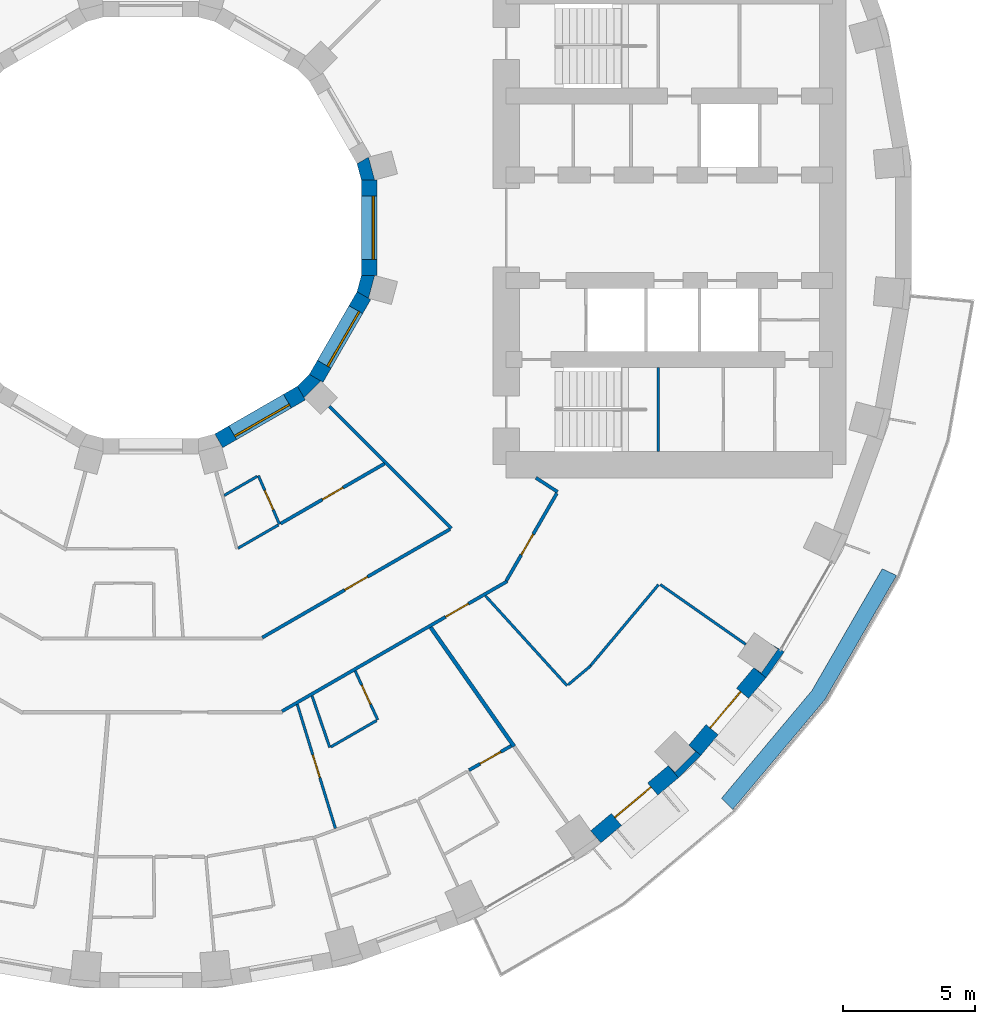
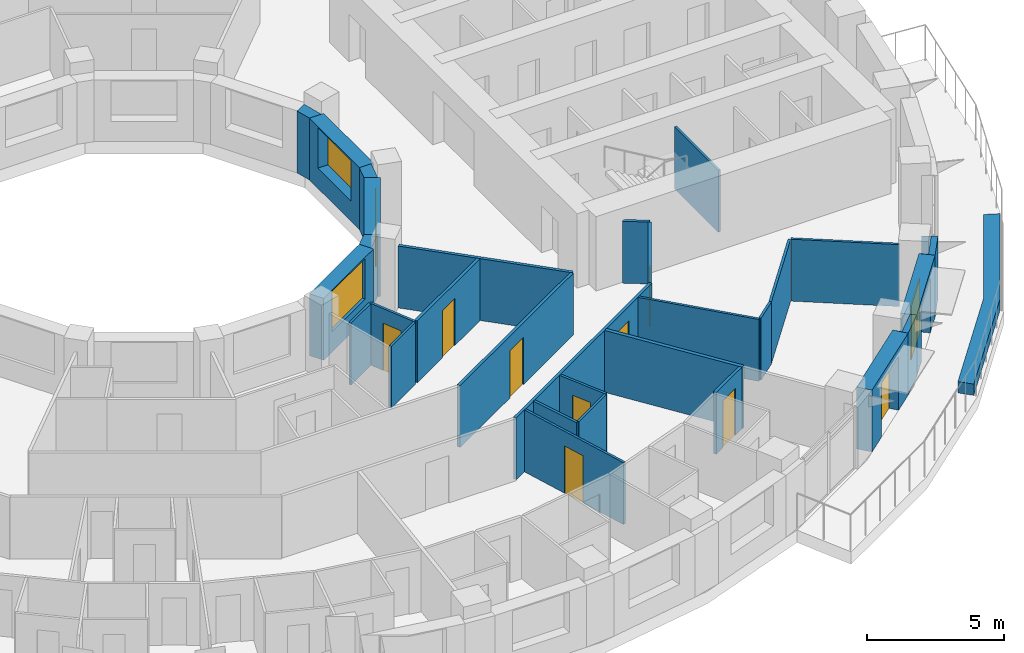
# One storey, part 8 of 15: 31 walls, 10 doors, 3 windows, 13 openings.
"""IFC4 building model written with IfcOpenShell, lengths in metres."""

from ifc_helpers import new_model, si_unit, direction, frame, frame_2d, origin, place, context, subcontext, project, spatial, polyline, rectangle, outline, extrude, material, layer, layer_set, type_object, element, fill, save


model = new_model("IFC4")

# Units and contexts
model_context = context("Model", 3, precision=1e-05, world=origin(), true_north=direction((0.0, 1.0)))
body_context = subcontext(model_context, "Body", "Model", "MODEL_VIEW")
ifc_project = project(units=[si_unit("LENGTHUNIT", "METRE"), si_unit("AREAUNIT", "SQUARE_METRE"), si_unit("VOLUMEUNIT", "CUBIC_METRE"), si_unit("PLANEANGLEUNIT", "RADIAN"), si_unit("MASSUNIT", "GRAM", prefix="KILO")], contexts=[model_context])

# Site, building, storey
site_placement = place(None, origin())
site = spatial("IfcSite", under=ifc_project, at=site_placement, CompositionType="ELEMENT")
building_placement = place(site_placement, origin())
building = spatial("IfcBuilding", under=site, at=building_placement, Name="Saqina Gate Tower", CompositionType="ELEMENT")
storey_placement = place(building_placement, frame((0.0, 0.0, 36.199951171875)))
storey = spatial("IfcBuildingStorey", under=building, at=storey_placement, Name="L09", CompositionType="ELEMENT", Elevation=36.199951171875)

# Walls
ifc_material_1 = material(Name="Brick masonry (red)", Category="masonry")
wall_type_1 = type_object("IfcWallType", Name="BRICK PIER COPING RED", PredefinedType="SOLIDWALL", material=ifc_material_1)
wall_1_placement = place(storey_placement, origin())
element("IfcWall", 1, at=wall_1_placement, inside=storey, type_object=wall_type_1, Name="Pier cap L09 column 32", PredefinedType="SOLIDWALL", context=body_context, shape_type="SweptSolid", body=[
    extrude(outline(polyline([(20.894775390625, -20.04296875), (20.43505859375, -19.6572265625), (20.682861328125, -19.905029296875), (19.905029296875, -20.682861328125), (19.6572265625, -20.43505859375), (20.04296875, -20.894775390625), (20.894775390625, -20.04296875)])), origin(), (0.0, 0.0, 1.0), 2.75),
])
wall_2_placement = place(storey_placement, origin())
element("IfcWall", 2, at=wall_2_placement, inside=storey, type_object=wall_type_1, Name="Pier cap L09 column 33", PredefinedType="SOLIDWALL", context=body_context, shape_type="SweptSolid", body=[
    extrude(outline(polyline([(23.36669921875, -17.096923828125), (24.0576171875, -16.110107421875), (23.5380859375, -15.81005859375), (23.8251953125, -16.010986328125), (23.194091796875, -16.912109375), (22.9072265625, -16.711181640625), (23.36669921875, -17.096923828125)])), origin(), (0.0, 0.0, 1.0), 2.75),
])

# Wall, opening, door
ifc_material_2 = material(Name="Brick masonry (red)", Category="masonry")
ifc_layer_1 = layer(ifc_material_2, 0.60009765625)
ifc_layer_set_1 = layer_set([ifc_layer_1], Name="FW-BRICK-RED")
wall_type_2 = type_object("IfcWallType", Name="FW-BRICK-RED", PredefinedType="SOLIDWALL", material=ifc_layer_set_1)
wall_3_placement = place(storey_placement, frame((16.904052734375, -23.136962890625, 0.0), z_axis=(0.0, 0.0, 1.0), x_axis=(0.766026164483, 0.642809392687, 0.0)))
wall_3 = element("IfcWall", 3, at=wall_3_placement, inside=storey, type_object=wall_type_2, Name="Facade wall L09 facet 31", PredefinedType="SOLIDWALL", context=body_context, shape_type="SweptSolid", body=[
    extrude(rectangle(XDim=3.845947265625, YDim=0.60009765625, at=frame_2d((1.9228515625, 0.0))), origin(), (0.0, 0.0, 1.0), 2.75),
])
opening_1_placement = place(wall_3_placement, frame((1.02294921875, 0.0, 0.0)))
opening_1 = element("IfcOpeningElement", 4, at=opening_1_placement, cuts=wall_3, Name="Opening G02-D80", PredefinedType="OPENING", context=body_context, shape_type="SweptSolid", body=[
    extrude(rectangle(XDim=1.800048828125, YDim=2.39990234375, at=frame_2d((0.89990234375, 1.199951171875))), frame((0.0, 0.31201171875, 0.0), z_axis=(0.0, -1.0, 0.0), x_axis=(1.0, 0.0, 0.0)), (0.0, 0.0, 1.0), 0.6240234375),
])
ifc_material_3 = material(Name="Aluminium glazing", Category="aluminium")
door_type_1 = type_object("IfcDoorType", Name="GD-A", OperationType="DOUBLE_DOOR_SINGLE_SWING", PredefinedType="DOOR", material=ifc_material_3)
door_1_placement = place(opening_1_placement, frame((1.800048828125, 0.0, 0.0), z_axis=(0.0, 0.0, 1.0), x_axis=(-1.0, 0.0, 0.0)))
door_1 = element("IfcDoor", 5, at=door_1_placement, inside=storey, type_object=door_type_1, Name="Terrace door L09 facet 31", OperationType="DOUBLE_DOOR_SINGLE_SWING", OverallHeight=2.39990234375, OverallWidth=1.800048828125, PredefinedType="DOOR", context=body_context, shape_type="SweptSolid", body=[
    extrude(rectangle(XDim=1.800048828125, YDim=2.39990234375, at=frame_2d((0.89990234375, 1.199951171875))), frame((0.0, -0.0751953125, 0.0), z_axis=(0.0, -1.0, 0.0), x_axis=(1.0, 0.0, 0.0)), (0.0, 0.0, 1.0), 0.050048828125),
])
fill(opening_1, door_1)

wall_4_placement = place(storey_placement, frame((20.664794921875, -19.85009765625, 0.0), z_axis=(0.0, 0.0, 1.0), x_axis=(0.642809392687, 0.766026164483, 0.0)))
wall_4 = element("IfcWall", 6, at=wall_4_placement, inside=storey, type_object=wall_type_2, Name="Facade wall L09 facet 32", PredefinedType="SOLIDWALL", context=body_context, shape_type="SweptSolid", body=[
    extrude(rectangle(XDim=3.845947265625, YDim=0.60009765625, at=frame_2d((1.9228515625, 0.0))), origin(), (0.0, 0.0, 1.0), 2.75),
])
opening_2_placement = place(wall_4_placement, frame((1.02294921875, 0.0, 0.0)))
opening_2 = element("IfcOpeningElement", 7, at=opening_2_placement, cuts=wall_4, Name="Opening G02-D81", PredefinedType="OPENING", context=body_context, shape_type="SweptSolid", body=[
    extrude(rectangle(XDim=1.800048828125, YDim=2.39990234375, at=frame_2d((0.89990234375, 1.199951171875))), frame((0.0, 0.31201171875, 0.0), z_axis=(0.0, -1.0, 0.0), x_axis=(1.0, 0.0, 0.0)), (0.0, 0.0, 1.0), 0.6240234375),
])
door_2_placement = place(opening_2_placement, frame((1.800048828125, 0.0, 0.0), z_axis=(0.0, 0.0, 1.0), x_axis=(-1.0, 0.0, 0.0)))
door_2 = element("IfcDoor", 8, at=door_2_placement, inside=storey, type_object=door_type_1, Name="Terrace door L09 facet 32", OperationType="DOUBLE_DOOR_SINGLE_SWING", OverallHeight=2.39990234375, OverallWidth=1.800048828125, PredefinedType="DOOR", context=body_context, shape_type="SweptSolid", body=[
    extrude(rectangle(XDim=1.800048828125, YDim=2.39990234375, at=frame_2d((0.89990234375, 1.199951171875))), frame((0.0, -0.0751953125, 0.0), z_axis=(0.0, -1.0, 0.0), x_axis=(1.0, 0.0, 0.0)), (0.0, 0.0, 1.0), 0.050048828125),
])
fill(opening_2, door_2)

# Wall, opening, window
ifc_material_4 = material(Name="Glazed ceramic tile", Category="ceramic")
ifc_layer_2 = layer(ifc_material_4, 0.60009765625)
ifc_layer_set_2 = layer_set([ifc_layer_2], Name="IW-TILE")
wall_type_3 = type_object("IfcWallType", Name="IW-TILE", PredefinedType="SOLIDWALL", material=ifc_layer_set_2)
wall_5_placement = place(storey_placement, frame((2.580322265625, -8.09423828125, 0.0), z_axis=(0.0, 0.0, 1.0), x_axis=(0.866029693906, 0.499992569217, 0.0)))
wall_5 = element("IfcWall", 9, at=wall_5_placement, inside=storey, type_object=wall_type_3, Name="Well wall L09 facet 10", PredefinedType="SOLIDWALL", context=body_context, shape_type="SweptSolid", body=[
    extrude(rectangle(XDim=3.625, YDim=0.60009765625, at=frame_2d((1.8125, 0.0))), origin(), (0.0, 0.0, 1.0), 2.75),
])
opening_3_placement = place(wall_5_placement, frame((0.612548828125, 0.0, 0.89990234375)))
opening_3 = element("IfcOpeningElement", 10, at=opening_3_placement, cuts=wall_5, Name="Opening G02-W32", PredefinedType="OPENING", context=body_context, shape_type="SweptSolid", body=[
    extrude(rectangle(XDim=2.39990234375, YDim=1.800048828125, at=frame_2d((1.199951171875, 0.89990234375))), frame((0.0, 0.31201171875, 0.0), z_axis=(0.0, -1.0, 0.0), x_axis=(1.0, 0.0, 0.0)), (0.0, 0.0, 1.0), 0.6240234375),
])
ifc_material_5 = material(Name="Aluminium glazing", Category="aluminium")
window_type = type_object("IfcWindowType", Name="WN-W", PartitioningType="SINGLE_PANEL", PredefinedType="WINDOW", material=ifc_material_5)
window_1_placement = place(opening_3_placement, origin())
window_1 = element("IfcWindow", 11, at=window_1_placement, inside=storey, type_object=window_type, Name="Well window L09 facet 10", OverallHeight=1.800048828125, OverallWidth=2.39990234375, PartitioningType="SINGLE_PANEL", PredefinedType="WINDOW", context=body_context, shape_type="SweptSolid", body=[
    extrude(rectangle(XDim=2.39990234375, YDim=1.800048828125, at=frame_2d((1.199951171875, 0.89990234375))), frame((0.0, -0.119873046875, 0.0), z_axis=(0.0, -1.0, 0.0), x_axis=(1.0, 0.0, 0.0)), (0.0, 0.0, 1.0), 0.06005859375),
])
fill(opening_3, window_1)

wall_6_placement = place(storey_placement, frame((6.28173828125, -5.7197265625, 0.0), z_axis=(0.0, 0.0, 1.0), x_axis=(0.499992569217, 0.866029693906, 0.0)))
wall_6 = element("IfcWall", 12, at=wall_6_placement, inside=storey, type_object=wall_type_3, Name="Well wall L09 facet 11", PredefinedType="SOLIDWALL", context=body_context, shape_type="SweptSolid", body=[
    extrude(rectangle(XDim=3.625, YDim=0.60009765625, at=frame_2d((1.8125, 0.0))), origin(), (0.0, 0.0, 1.0), 2.75),
])
opening_4_placement = place(wall_6_placement, frame((0.612548828125, 0.0, 0.89990234375)))
opening_4 = element("IfcOpeningElement", 13, at=opening_4_placement, cuts=wall_6, Name="Opening G02-W33", PredefinedType="OPENING", context=body_context, shape_type="SweptSolid", body=[
    extrude(rectangle(XDim=2.39990234375, YDim=1.800048828125, at=frame_2d((1.199951171875, 0.89990234375))), frame((0.0, 0.31201171875, 0.0), z_axis=(0.0, -1.0, 0.0), x_axis=(1.0, 0.0, 0.0)), (0.0, 0.0, 1.0), 0.6240234375),
])
window_2_placement = place(opening_4_placement, origin())
window_2 = element("IfcWindow", 14, at=window_2_placement, inside=storey, type_object=window_type, Name="Well window L09 facet 11", OverallHeight=1.800048828125, OverallWidth=2.39990234375, PartitioningType="SINGLE_PANEL", PredefinedType="WINDOW", context=body_context, shape_type="SweptSolid", body=[
    extrude(rectangle(XDim=2.39990234375, YDim=1.800048828125, at=frame_2d((1.199951171875, 0.89990234375))), frame((0.0, -0.119873046875, 0.0), z_axis=(0.0, -1.0, 0.0), x_axis=(1.0, 0.0, 0.0)), (0.0, 0.0, 1.0), 0.06005859375),
])
fill(opening_4, window_2)

wall_7_placement = place(storey_placement, frame((8.300048828125, -1.8125, 0.0), z_axis=(0.0, 0.0, 1.0), x_axis=(0.0, 1.0, 0.0)))
wall_7 = element("IfcWall", 15, at=wall_7_placement, inside=storey, type_object=wall_type_3, Name="Well wall L09 facet 12", PredefinedType="SOLIDWALL", context=body_context, shape_type="SweptSolid", body=[
    extrude(rectangle(XDim=3.625, YDim=0.60009765625, at=frame_2d((1.8125, 0.0))), origin(), (0.0, 0.0, 1.0), 2.75),
])
opening_5_placement = place(wall_7_placement, frame((0.612548828125, 0.0, 0.89990234375)))
opening_5 = element("IfcOpeningElement", 16, at=opening_5_placement, cuts=wall_7, Name="Opening G02-W34", PredefinedType="OPENING", context=body_context, shape_type="SweptSolid", body=[
    extrude(rectangle(XDim=2.39990234375, YDim=1.800048828125, at=frame_2d((1.199951171875, 0.89990234375))), frame((0.0, 0.31201171875, 0.0), z_axis=(0.0, -1.0, 0.0), x_axis=(1.0, 0.0, 0.0)), (0.0, 0.0, 1.0), 0.6240234375),
])
window_3_placement = place(opening_5_placement, origin())
window_3 = element("IfcWindow", 17, at=window_3_placement, inside=storey, type_object=window_type, Name="Well window L09 facet 12", OverallHeight=1.800048828125, OverallWidth=2.39990234375, PartitioningType="SINGLE_PANEL", PredefinedType="WINDOW", context=body_context, shape_type="SweptSolid", body=[
    extrude(rectangle(XDim=2.39990234375, YDim=1.800048828125, at=frame_2d((1.199951171875, 0.89990234375))), frame((0.0, -0.119873046875, 0.0), z_axis=(0.0, -1.0, 0.0), x_axis=(1.0, 0.0, 0.0)), (0.0, 0.0, 1.0), 0.06005859375),
])
fill(opening_5, window_3)

# Wall, opening, door
ifc_material_6 = material(Name="Gypsum board on steel studs, 100 mm", Category="steel")
ifc_layer_3 = layer(ifc_material_6, 0.10009765625)
ifc_layer_set_3 = layer_set([ifc_layer_3], Name="PARTITION 100")
wall_type_4 = type_object("IfcWallType", Name="PARTITION 100", PredefinedType="PARTITIONING", material=ifc_layer_set_3)
wall_8_placement = place(storey_placement, frame((5.5634765625, -18.104736328125, 0.0), z_axis=(0.0, 0.0, 1.0), x_axis=(0.293856171107, -0.955849648586, 0.0)))
wall_8 = element("IfcWall", 18, at=wall_8_placement, inside=storey, type_object=wall_type_4, Name="PARTITION PW3-16", PredefinedType="PARTITIONING", context=body_context, shape_type="SweptSolid", body=[
    extrude(rectangle(XDim=4.93017578125, YDim=0.10009765625, at=frame_2d((2.465087890625, 0.0))), origin(), (0.0, 0.0, 1.0), 2.75),
])
opening_6_placement = place(wall_8_placement, frame((2.0087890625, 0.0, 0.0)))
opening_6 = element("IfcOpeningElement", 19, at=opening_6_placement, cuts=wall_8, Name="Opening G02-D57", PredefinedType="OPENING", context=body_context, shape_type="SweptSolid", body=[
    extrude(rectangle(XDim=0.89990234375, YDim=2.10009765625, at=frame_2d((0.449951171875, 1.050048828125))), frame((0.0, 0.06201171875, 0.0), z_axis=(0.0, -1.0, 0.0), x_axis=(1.0, 0.0, 0.0)), (0.0, 0.0, 1.0), 0.1240234375),
])
ifc_material_7 = material(Name="Timber door leaf, 900 mm", Category="wood")
door_type_2 = type_object("IfcDoorType", Name="DOOR 900 TIMBER", OperationType="SINGLE_SWING_LEFT", PredefinedType="DOOR", material=ifc_material_7)
door_3_placement = place(opening_6_placement, frame((0.89990234375, 0.0, 0.0), z_axis=(0.0, 0.0, 1.0), x_axis=(-1.0, 0.0, 0.0)))
door_3 = element("IfcDoor", 20, at=door_3_placement, inside=storey, type_object=door_type_2, Name="DOOR G02-D57", OperationType="SINGLE_SWING_RIGHT", OverallHeight=2.10009765625, OverallWidth=0.89990234375, PredefinedType="DOOR", context=body_context, shape_type="SweptSolid", body=[
    extrude(rectangle(XDim=0.89990234375, YDim=2.10009765625, at=frame_2d((0.449951171875, 1.050048828125))), frame((0.0, 0.02490234375, 0.0), z_axis=(0.0, -1.0, 0.0), x_axis=(1.0, 0.0, 0.0)), (0.0, 0.0, 1.0), 0.050048828125),
])
fill(opening_6, door_3)

# Wall
wall_9_placement = place(storey_placement, frame((6.123291015625, -17.781982421875, 0.0), z_axis=(0.0, 0.0, 1.0), x_axis=(0.325345833464, -0.945595097622, 0.0)))
element("IfcWall", 21, at=wall_9_placement, inside=storey, type_object=wall_type_4, Name="PARTITION PW3-17", PredefinedType="PARTITIONING", context=body_context, shape_type="SweptSolid", body=[
    extrude(rectangle(XDim=2.0771484375, YDim=0.10009765625, at=frame_2d((1.03857421875, 0.0))), origin(), (0.0, 0.0, 1.0), 2.75),
])

# Wall, opening, door
wall_10_placement = place(storey_placement, frame((4.0859375, -9.4189453125, 0.0), z_axis=(0.0, 0.0, 1.0), x_axis=(0.39850887435, -0.917164476561, 0.0)))
wall_10 = element("IfcWall", 22, at=wall_10_placement, inside=storey, type_object=wall_type_4, Name="PARTITION PW3-20", PredefinedType="PARTITIONING", context=body_context, shape_type="SweptSolid", body=[
    extrude(rectangle(XDim=2.013671875, YDim=0.10009765625, at=frame_2d((1.0068359375, 0.0))), origin(), (0.0, 0.0, 1.0), 2.75),
])
opening_7_placement = place(wall_10_placement, frame((0.606201171875, 0.0, 0.0)))
opening_7 = element("IfcOpeningElement", 23, at=opening_7_placement, cuts=wall_10, Name="Opening G02-D60", PredefinedType="OPENING", context=body_context, shape_type="SweptSolid", body=[
    extrude(rectangle(XDim=0.800048828125, YDim=2.10009765625, at=frame_2d((0.39990234375, 1.050048828125))), frame((0.0, 0.06201171875, 0.0), z_axis=(0.0, -1.0, 0.0), x_axis=(1.0, 0.0, 0.0)), (0.0, 0.0, 1.0), 0.1240234375),
])
ifc_material_8 = material(Name="Timber door leaf, 800 mm", Category="wood")
door_type_3 = type_object("IfcDoorType", Name="DOOR 800 TIMBER", OperationType="SINGLE_SWING_LEFT", PredefinedType="DOOR", material=ifc_material_8)
door_4_placement = place(opening_7_placement, origin())
door_4 = element("IfcDoor", 24, at=door_4_placement, inside=storey, type_object=door_type_3, Name="DOOR G02-D60", OperationType="SINGLE_SWING_RIGHT", OverallHeight=2.10009765625, OverallWidth=0.800048828125, PredefinedType="DOOR", context=body_context, shape_type="SweptSolid", body=[
    extrude(rectangle(XDim=0.800048828125, YDim=2.10009765625, at=frame_2d((0.39990234375, 1.050048828125))), frame((0.0, 0.02490234375, 0.0), z_axis=(0.0, -1.0, 0.0), x_axis=(1.0, 0.0, 0.0)), (0.0, 0.0, 1.0), 0.050048828125),
])
fill(opening_7, door_4)

wall_11_placement = place(storey_placement, frame((7.76318359375, -16.836669921875, 0.0), z_axis=(0.0, 0.0, 1.0), x_axis=(0.418740408402, -0.908105979702, 0.0)))
wall_11 = element("IfcWall", 25, at=wall_11_placement, inside=storey, type_object=wall_type_4, Name="PARTITION PW3-21", PredefinedType="PARTITIONING", context=body_context, shape_type="SweptSolid", body=[
    extrude(rectangle(XDim=2.04638671875, YDim=0.10009765625, at=frame_2d((1.023193359375, 0.0))), origin(), (0.0, 0.0, 1.0), 2.75),
])
opening_8_placement = place(wall_11_placement, frame((0.591796875, 0.0, 0.0)))
opening_8 = element("IfcOpeningElement", 26, at=opening_8_placement, cuts=wall_11, Name="Opening G02-D61", PredefinedType="OPENING", context=body_context, shape_type="SweptSolid", body=[
    extrude(rectangle(XDim=0.800048828125, YDim=2.10009765625, at=frame_2d((0.39990234375, 1.050048828125))), frame((0.0, 0.06201171875, 0.0), z_axis=(0.0, -1.0, 0.0), x_axis=(1.0, 0.0, 0.0)), (0.0, 0.0, 1.0), 0.1240234375),
])
door_5_placement = place(opening_8_placement, origin())
door_5 = element("IfcDoor", 27, at=door_5_placement, inside=storey, type_object=door_type_3, Name="DOOR G02-D61", OperationType="SINGLE_SWING_LEFT", OverallHeight=2.10009765625, OverallWidth=0.800048828125, PredefinedType="DOOR", context=body_context, shape_type="SweptSolid", body=[
    extrude(rectangle(XDim=0.800048828125, YDim=2.10009765625, at=frame_2d((0.39990234375, 1.050048828125))), frame((0.0, 0.02490234375, 0.0), z_axis=(0.0, -1.0, 0.0), x_axis=(1.0, 0.0, 0.0)), (0.0, 0.0, 1.0), 0.050048828125),
])
fill(opening_8, door_5)

# Walls
wall_12_placement = place(storey_placement, frame((12.7080078125, -13.980224609375, 0.0), z_axis=(0.0, 0.0, 1.0), x_axis=(0.672630660637, -0.739978374259, 0.0)))
element("IfcWall", 28, at=wall_12_placement, inside=storey, type_object=wall_type_4, Name="PARTITION PW3-34", PredefinedType="PARTITIONING", context=body_context, shape_type="SweptSolid", body=[
    extrude(rectangle(XDim=4.61474609375, YDim=0.10009765625, at=frame_2d((2.307373046875, 0.0))), origin(), (0.0, 0.0, 1.0), 2.75),
])
wall_13_placement = place(storey_placement, frame((19.354736328125, -13.555419921875, 0.0), z_axis=(0.0, 0.0, 1.0), x_axis=(0.819211647212, -0.573491305141, 0.0)))
element("IfcWall", 29, at=wall_13_placement, inside=storey, type_object=wall_type_4, Name="PARTITION PW3-39", PredefinedType="PARTITIONING", context=body_context, shape_type="SweptSolid", body=[
    extrude(rectangle(XDim=3.96044921875, YDim=0.10009765625, at=frame_2d((1.980224609375, 0.0))), origin(), (0.0, 0.0, 1.0), 2.75),
])
wall_14_placement = place(storey_placement, frame((6.84228515625, -19.720947265625, 0.0), z_axis=(0.0, 0.0, 1.0), x_axis=(0.866104386261, 0.499863173377, 0.0)))
element("IfcWall", 30, at=wall_14_placement, inside=storey, type_object=wall_type_4, Name="PARTITION PW3-77", PredefinedType="PARTITIONING", context=body_context, shape_type="SweptSolid", body=[
    extrude(rectangle(XDim=2.00244140625, YDim=0.10009765625, at=frame_2d((1.001220703125, 0.0))), origin(), (0.0, 0.0, 1.0), 2.75),
])
wall_15_placement = place(storey_placement, frame((3.31396484375, -12.174072265625, 0.0), z_axis=(0.0, 0.0, 1.0), x_axis=(0.866185586049, 0.49972245349, 0.0)))
element("IfcWall", 31, at=wall_15_placement, inside=storey, type_object=wall_type_4, Name="PARTITION PW3-78", PredefinedType="PARTITIONING", context=body_context, shape_type="SweptSolid", body=[
    extrude(rectangle(XDim=1.76611328125, YDim=0.10009765625, at=frame_2d((0.883056640625, 0.0))), origin(), (0.0, 0.0, 1.0), 2.75),
])
wall_16_placement = place(storey_placement, frame((2.787109375, -10.168701171875, 0.0), z_axis=(0.0, 0.0, 1.0), x_axis=(0.86612109418, 0.499834222735, 0.0)))
element("IfcWall", 32, at=wall_16_placement, inside=storey, type_object=wall_type_4, Name="PARTITION PW3-79", PredefinedType="PARTITIONING", context=body_context, shape_type="SweptSolid", body=[
    extrude(rectangle(XDim=1.44970703125, YDim=0.10009765625, at=frame_2d((0.724853515625, 0.0))), origin(), (0.0, 0.0, 1.0), 2.75),
])
wall_17_placement = place(storey_placement, frame((15.850341796875, -17.36279296875, 0.0), z_axis=(0.0, 0.0, 1.0), x_axis=(0.766277754486, 0.642509457502, 0.0)))
element("IfcWall", 33, at=wall_17_placement, inside=storey, type_object=wall_type_4, Name="PARTITION PW3-84", PredefinedType="PARTITIONING", context=body_context, shape_type="SweptSolid", body=[
    extrude(rectangle(XDim=1.124267578125, YDim=0.10009765625, at=frame_2d((0.56201171875, 0.0))), origin(), (0.0, 0.0, 1.0), 2.75),
])
wall_18_placement = place(storey_placement, frame((16.705078125, -16.634765625, 0.0), z_axis=(0.0, 0.0, 1.0), x_axis=(0.642869335103, 0.765975859923, 0.0)))
element("IfcWall", 34, at=wall_18_placement, inside=storey, type_object=wall_type_4, Name="PARTITION PW3-92", PredefinedType="PARTITIONING", context=body_context, shape_type="SweptSolid", body=[
    extrude(rectangle(XDim=4.010009765625, YDim=0.10009765625, at=frame_2d((2.0048828125, 0.0))), origin(), (0.0, 0.0, 1.0), 2.75),
])
ifc_material_9 = material(Name="Gypsum board on steel studs, 125 mm, fire rated", Category="steel")
ifc_layer_4 = layer(ifc_material_9, 0.125)
ifc_layer_set_4 = layer_set([ifc_layer_4], Name="PARTITION EI 30 125")
wall_type_5 = type_object("IfcWallType", Name="PARTITION EI 30 125", PredefinedType="PARTITIONING", material=ifc_layer_set_4)
wall_19_placement = place(storey_placement, frame((6.78271484375, -6.78271484375, 0.0), z_axis=(0.0, 0.0, 1.0), x_axis=(0.707106781187, -0.707106781187, 0.0)))
element("IfcWall", 35, at=wall_19_placement, inside=storey, type_object=wall_type_5, Name="PARTITION PW1-10", PredefinedType="PARTITIONING", context=body_context, shape_type="SweptSolid", body=[
    extrude(rectangle(XDim=6.55810546875, YDim=0.125, at=frame_2d((3.279052734375, 0.0))), origin(), (0.0, 0.0, 1.0), 2.75),
])
wall_20_placement = place(storey_placement, frame((14.62890625, -9.5, 0.0), z_axis=(0.0, 0.0, 1.0), x_axis=(0.838755766808, -0.544507817801, 0.0)))
element("IfcWall", 36, at=wall_20_placement, inside=storey, type_object=wall_type_5, Name="PARTITION PW1-14", PredefinedType="PARTITIONING", context=body_context, shape_type="SweptSolid", body=[
    extrude(rectangle(XDim=0.982421875, YDim=0.125, at=frame_2d((0.4912109375, 0.0))), origin(), (0.0, 0.0, 1.0), 2.75),
])

# Wall, opening, door
wall_21_placement = place(storey_placement, frame((12.08837890625, -20.60595703125, 0.0), z_axis=(0.0, 0.0, 1.0), x_axis=(0.866049284889, 0.499958634432, 0.0)))
wall_21 = element("IfcWall", 37, at=wall_21_placement, inside=storey, type_object=wall_type_5, Name="PARTITION PW1-38", PredefinedType="PARTITIONING", context=body_context, shape_type="SweptSolid", body=[
    extrude(rectangle(XDim=1.849365234375, YDim=0.125, at=frame_2d((0.9248046875, 0.0))), origin(), (0.0, 0.0, 1.0), 2.75),
])
opening_9_placement = place(wall_21_placement, frame((0.4873046875, 0.0, 0.0)))
opening_9 = element("IfcOpeningElement", 38, at=opening_9_placement, cuts=wall_21, Name="Opening G02-D64", PredefinedType="OPENING", context=body_context, shape_type="SweptSolid", body=[
    extrude(rectangle(XDim=0.89990234375, YDim=2.10009765625, at=frame_2d((0.449951171875, 1.050048828125))), frame((0.0, 0.074462890625, 0.0), z_axis=(0.0, -1.0, 0.0), x_axis=(1.0, 0.0, 0.0)), (0.0, 0.0, 1.0), 0.14892578125),
])
ifc_material_10 = material(Name="Fire door leaf EI 30, 900 mm")
door_type_4 = type_object("IfcDoorType", Name="DOOR 900 EI 30", OperationType="SINGLE_SWING_LEFT", PredefinedType="DOOR", material=ifc_material_10)
door_6_placement = place(opening_9_placement, origin())
door_6 = element("IfcDoor", 39, at=door_6_placement, inside=storey, type_object=door_type_4, Name="DOOR G02-D64", OperationType="SINGLE_SWING_RIGHT", OverallHeight=2.10009765625, OverallWidth=0.89990234375, PredefinedType="DOOR", context=body_context, shape_type="SweptSolid", body=[
    extrude(rectangle(XDim=0.89990234375, YDim=2.10009765625, at=frame_2d((0.449951171875, 1.050048828125))), frame((0.0, 0.02490234375, 0.0), z_axis=(0.0, -1.0, 0.0), x_axis=(1.0, 0.0, 0.0)), (0.0, 0.0, 1.0), 0.050048828125),
])
fill(opening_9, door_6)

wall_22_placement = place(storey_placement, frame((4.984130859375, -18.36865234375, 0.0), z_axis=(0.0, 0.0, 1.0), x_axis=(0.86605048973, 0.49995654735, 0.0)))
wall_22 = element("IfcWall", 40, at=wall_22_placement, inside=storey, type_object=wall_type_5, Name="PARTITION PW1-39", PredefinedType="PARTITIONING", context=body_context, shape_type="SweptSolid", body=[
    extrude(rectangle(XDim=9.87060546875, YDim=0.125, at=frame_2d((4.935302734375, 0.0))), origin(), (0.0, 0.0, 1.0), 2.75),
])
opening_10_placement = place(wall_22_placement, frame((7.173828125, 0.0, 0.0)))
opening_10 = element("IfcOpeningElement", 41, at=opening_10_placement, cuts=wall_22, Name="Opening G02-D66", PredefinedType="OPENING", context=body_context, shape_type="SweptSolid", body=[
    extrude(rectangle(XDim=1.0, YDim=2.10009765625, at=frame_2d((0.5, 1.050048828125))), frame((0.0, 0.074462890625, 0.0), z_axis=(0.0, -1.0, 0.0), x_axis=(1.0, 0.0, 0.0)), (0.0, 0.0, 1.0), 0.14892578125),
])
ifc_material_11 = material(Name="Fire door leaf EI 30, 1000 mm")
door_type_5 = type_object("IfcDoorType", Name="DOOR 1000 EI 30", OperationType="SINGLE_SWING_LEFT", PredefinedType="DOOR", material=ifc_material_11)
door_7_placement = place(opening_10_placement, frame((1.0, 0.0, 0.0), z_axis=(0.0, 0.0, 1.0), x_axis=(-1.0, 0.0, 0.0)))
door_7 = element("IfcDoor", 42, at=door_7_placement, inside=storey, type_object=door_type_5, Name="DOOR G02-D66", OperationType="SINGLE_SWING_RIGHT", OverallHeight=2.10009765625, OverallWidth=1.0, PredefinedType="DOOR", context=body_context, shape_type="SweptSolid", body=[
    extrude(rectangle(XDim=1.0, YDim=2.10009765625, at=frame_2d((0.5, 1.050048828125))), frame((0.0, 0.02490234375, 0.0), z_axis=(0.0, -1.0, 0.0), x_axis=(1.0, 0.0, 0.0)), (0.0, 0.0, 1.0), 0.050048828125),
])
fill(opening_10, door_7)

wall_23_placement = place(storey_placement, frame((4.234130859375, -15.56884765625, 0.0), z_axis=(0.0, 0.0, 1.0), x_axis=(0.866028570666, 0.499994514761, 0.0)))
wall_23 = element("IfcWall", 43, at=wall_23_placement, inside=storey, type_object=wall_type_5, Name="PARTITION PW1-40", PredefinedType="PARTITIONING", context=body_context, shape_type="SweptSolid", body=[
    extrude(rectangle(XDim=8.23388671875, YDim=0.125, at=frame_2d((4.116943359375, 0.0))), origin(), (0.0, 0.0, 1.0), 2.75),
])
opening_11_placement = place(wall_23_placement, frame((3.61669921875, 0.0, 0.0)))
opening_11 = element("IfcOpeningElement", 44, at=opening_11_placement, cuts=wall_23, Name="Opening G02-D63", PredefinedType="OPENING", context=body_context, shape_type="SweptSolid", body=[
    extrude(rectangle(XDim=1.0, YDim=2.10009765625, at=frame_2d((0.5, 1.050048828125))), frame((0.0, 0.074462890625, 0.0), z_axis=(0.0, -1.0, 0.0), x_axis=(1.0, 0.0, 0.0)), (0.0, 0.0, 1.0), 0.14892578125),
])
door_8_placement = place(opening_11_placement, origin())
door_8 = element("IfcDoor", 45, at=door_8_placement, inside=storey, type_object=door_type_5, Name="DOOR G02-D63", OperationType="SINGLE_SWING_LEFT", OverallHeight=2.10009765625, OverallWidth=1.0, PredefinedType="DOOR", context=body_context, shape_type="SweptSolid", body=[
    extrude(rectangle(XDim=1.0, YDim=2.10009765625, at=frame_2d((0.5, 1.050048828125))), frame((0.0, 0.02490234375, 0.0), z_axis=(0.0, -1.0, 0.0), x_axis=(1.0, 0.0, 0.0)), (0.0, 0.0, 1.0), 0.050048828125),
])
fill(opening_11, door_8)

wall_24_placement = place(storey_placement, frame((4.932373046875, -11.239501953125, 0.0), z_axis=(0.0, 0.0, 1.0), x_axis=(0.866031166731, 0.499990018151, 0.0)))
wall_24 = element("IfcWall", 46, at=wall_24_placement, inside=storey, type_object=wall_type_5, Name="PARTITION PW1-41", PredefinedType="PARTITIONING", context=body_context, shape_type="SweptSolid", body=[
    extrude(rectangle(XDim=4.5546875, YDim=0.125, at=frame_2d((2.27734375, 0.0))), origin(), (0.0, 0.0, 1.0), 2.75),
])
opening_12_placement = place(wall_24_placement, frame((1.833740234375, 0.0, 0.0)))
opening_12 = element("IfcOpeningElement", 47, at=opening_12_placement, cuts=wall_24, Name="Opening G02-D65", PredefinedType="OPENING", context=body_context, shape_type="SweptSolid", body=[
    extrude(rectangle(XDim=0.89990234375, YDim=2.10009765625, at=frame_2d((0.449951171875, 1.050048828125))), frame((0.0, 0.074462890625, 0.0), z_axis=(0.0, -1.0, 0.0), x_axis=(1.0, 0.0, 0.0)), (0.0, 0.0, 1.0), 0.14892578125),
])
door_9_placement = place(opening_12_placement, frame((0.89990234375, 0.0, 0.0), z_axis=(0.0, 0.0, 1.0), x_axis=(-1.0, 0.0, 0.0)))
door_9 = element("IfcDoor", 48, at=door_9_placement, inside=storey, type_object=door_type_4, Name="DOOR G02-D65", OperationType="SINGLE_SWING_LEFT", OverallHeight=2.10009765625, OverallWidth=0.89990234375, PredefinedType="DOOR", context=body_context, shape_type="SweptSolid", body=[
    extrude(rectangle(XDim=0.89990234375, YDim=2.10009765625, at=frame_2d((0.449951171875, 1.050048828125))), frame((0.0, 0.02490234375, 0.0), z_axis=(0.0, -1.0, 0.0), x_axis=(1.0, 0.0, 0.0)), (0.0, 0.0, 1.0), 0.050048828125),
])
fill(opening_12, door_9)

wall_25_placement = place(storey_placement, frame((13.501220703125, -13.415771484375, 0.0), z_axis=(0.0, 0.0, 1.0), x_axis=(0.499953532967, 0.866052229876, 0.0)))
wall_25 = element("IfcWall", 49, at=wall_25_placement, inside=storey, type_object=wall_type_5, Name="PARTITION PW1-48", PredefinedType="PARTITIONING", context=body_context, shape_type="SweptSolid", body=[
    extrude(rectangle(XDim=3.841064453125, YDim=0.125, at=frame_2d((1.92041015625, 0.0))), origin(), (0.0, 0.0, 1.0), 2.75),
])
opening_13_placement = place(wall_25_placement, frame((1.146728515625, 0.0, 0.0)))
opening_13 = element("IfcOpeningElement", 50, at=opening_13_placement, cuts=wall_25, Name="Opening G02-D67", PredefinedType="OPENING", context=body_context, shape_type="SweptSolid", body=[
    extrude(rectangle(XDim=0.89990234375, YDim=2.10009765625, at=frame_2d((0.449951171875, 1.050048828125))), frame((0.0, 0.074462890625, 0.0), z_axis=(0.0, -1.0, 0.0), x_axis=(1.0, 0.0, 0.0)), (0.0, 0.0, 1.0), 0.14892578125),
])
door_10_placement = place(opening_13_placement, frame((0.89990234375, 0.0, 0.0), z_axis=(0.0, 0.0, 1.0), x_axis=(-1.0, 0.0, 0.0)))
door_10 = element("IfcDoor", 51, at=door_10_placement, inside=storey, type_object=door_type_4, Name="DOOR G02-D67", OperationType="SINGLE_SWING_RIGHT", OverallHeight=2.10009765625, OverallWidth=0.89990234375, PredefinedType="DOOR", context=body_context, shape_type="SweptSolid", body=[
    extrude(rectangle(XDim=0.89990234375, YDim=2.10009765625, at=frame_2d((0.449951171875, 1.050048828125))), frame((0.0, 0.02490234375, 0.0), z_axis=(0.0, -1.0, 0.0), x_axis=(1.0, 0.0, 0.0)), (0.0, 0.0, 1.0), 0.050048828125),
])
fill(opening_13, door_10)

# Walls
ifc_material_12 = material(Name="Gypsum board on steel studs, 150 mm, fire rated", Category="steel")
ifc_layer_5 = layer(ifc_material_12, 0.14990234375)
ifc_layer_set_5 = layer_set([ifc_layer_5], Name="PARTITION EI 60 150")
wall_type_6 = type_object("IfcWallType", Name="PARTITION EI 60 150", PredefinedType="PARTITIONING", material=ifc_layer_set_5)
wall_26_placement = place(storey_placement, frame((10.6298828125, -15.181396484375, 0.0), z_axis=(0.0, 0.0, 1.0), x_axis=(0.573951755358, -0.818889114912, 0.0)))
element("IfcWall", 52, at=wall_26_placement, inside=storey, type_object=wall_type_6, Name="PARTITION PW2-02", PredefinedType="PARTITIONING", context=body_context, shape_type="SweptSolid", body=[
    extrude(rectangle(XDim=5.52294921875, YDim=0.14990234375, at=frame_2d((2.761474609375, 0.0))), origin(), (0.0, 0.0, 1.0), 2.75),
])
ifc_material_13 = material(Name="Brick masonry (red)", Category="masonry")
ifc_layer_6 = layer(ifc_material_13, 0.60009765625)
ifc_layer_set_6 = layer_set([ifc_layer_6], Name="PL-PLANTER")
wall_type_7 = type_object("IfcWallType", Name="PL-PLANTER", PredefinedType="PARAPET", material=ifc_layer_set_6)
wall_27_placement = place(storey_placement, origin())
element("IfcWall", 53, at=wall_27_placement, inside=storey, type_object=wall_type_7, Name="Planter L09", PredefinedType="PARAPET", context=body_context, shape_type="SweptSolid", body=[
    extrude(outline(polyline([(22.103271484375, -22.103271484375), (25.60546875, -17.92919921875), (28.329833984375, -13.21044921875), (27.783935546875, -12.955810546875), (25.1123046875, -17.583740234375), (21.67724609375, -21.67724609375), (22.103271484375, -22.103271484375)])), origin(), (0.0, 0.0, 1.0), 0.5),
])
ifc_material_14 = material(Name="Autoclaved aerated concrete block", Category="concrete")
ifc_layer_7 = layer(ifc_material_14, 0.10009765625)
ifc_layer_set_7 = layer_set([ifc_layer_7], Name="STAIR ENCLOSURE WALL")
wall_type_8 = type_object("IfcWallType", Name="STAIR ENCLOSURE WALL", PredefinedType="PARTITIONING", material=ifc_layer_set_7)
wall_28_placement = place(storey_placement, frame((19.27001953125, -8.5, 0.0), z_axis=(0.0, 0.0, 1.0), x_axis=(0.0, 1.0, 0.0)))
element("IfcWall", 54, at=wall_28_placement, inside=storey, type_object=wall_type_8, Name="L09-CP-E12", PredefinedType="PARTITIONING", context=body_context, shape_type="SweptSolid", body=[
    extrude(rectangle(XDim=3.199951171875, YDim=0.10009765625, at=frame_2d((1.60009765625, 0.0))), origin(), (0.0, 0.0, 1.0), 2.75),
])
ifc_material_15 = material(Name="Glazed ceramic tile", Category="ceramic")
wall_type_9 = type_object("IfcWallType", Name="TILE PIER COPING", PredefinedType="SOLIDWALL", material=ifc_material_15)
wall_29_placement = place(storey_placement, origin())
element("IfcWall", 55, at=wall_29_placement, inside=storey, type_object=wall_type_9, Name="Well pier cap L09 column 1", PredefinedType="SOLIDWALL", context=body_context, shape_type="SweptSolid", body=[
    extrude(outline(polyline([(8.27001953125, 2.681884765625), (7.83447265625, 2.430419921875), (8.0, 1.8125), (8.502685546875, 1.8125), (8.27001953125, 2.681884765625)])), origin(), (0.0, 0.0, 1.0), 2.75),
])
wall_30_placement = place(storey_placement, origin())
element("IfcWall", 56, at=wall_30_placement, inside=storey, type_object=wall_type_9, Name="Well pier cap L09 column 11", PredefinedType="SOLIDWALL", context=body_context, shape_type="SweptSolid", body=[
    extrude(outline(polyline([(5.821044921875, -6.45751953125), (6.45751953125, -5.821044921875), (6.02197265625, -5.569580078125), (5.569580078125, -6.02197265625), (5.821044921875, -6.45751953125)])), origin(), (0.0, 0.0, 1.0), 2.75),
])
wall_31_placement = place(storey_placement, origin())
element("IfcWall", 57, at=wall_31_placement, inside=storey, type_object=wall_type_9, Name="Well pier cap L09 column 12", PredefinedType="SOLIDWALL", context=body_context, shape_type="SweptSolid", body=[
    extrude(outline(polyline([(8.502685546875, -1.8125), (8.0, -1.8125), (7.83447265625, -2.430419921875), (8.27001953125, -2.681884765625), (8.502685546875, -1.8125)])), origin(), (0.0, 0.0, 1.0), 2.75),
])

save(model, "model.ifc")
